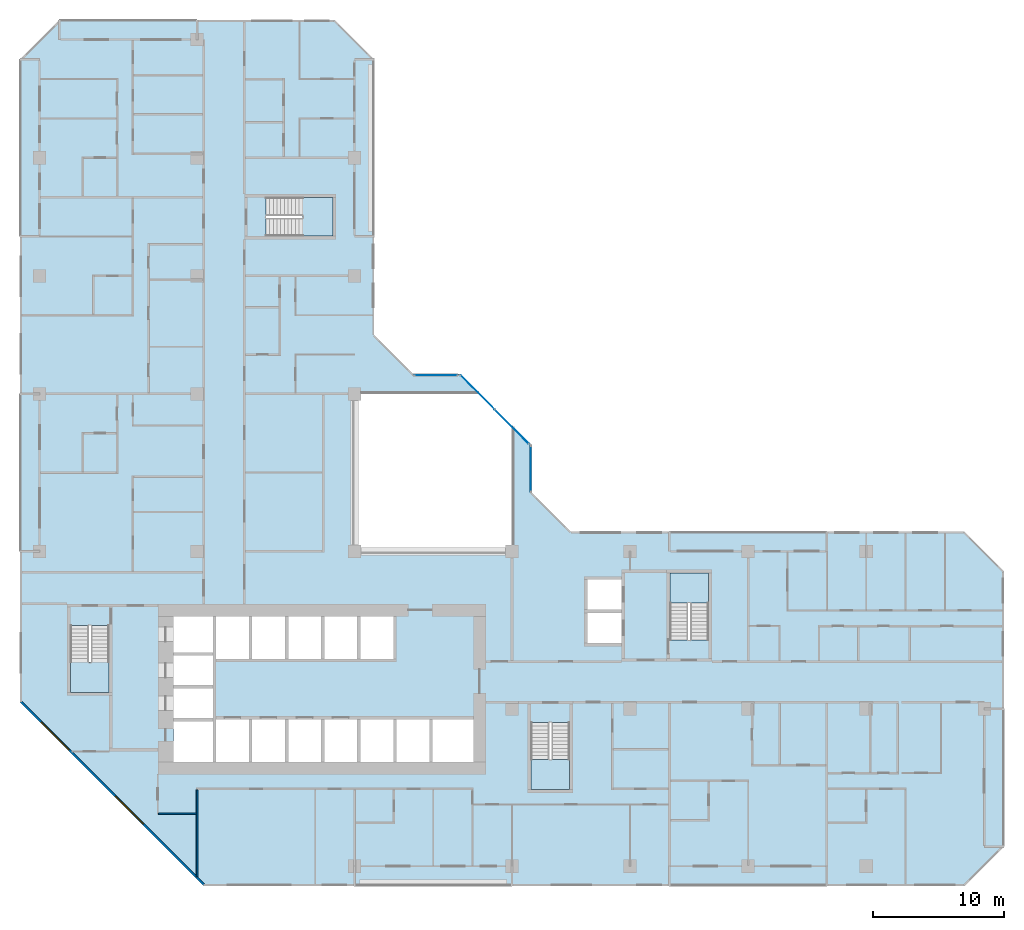
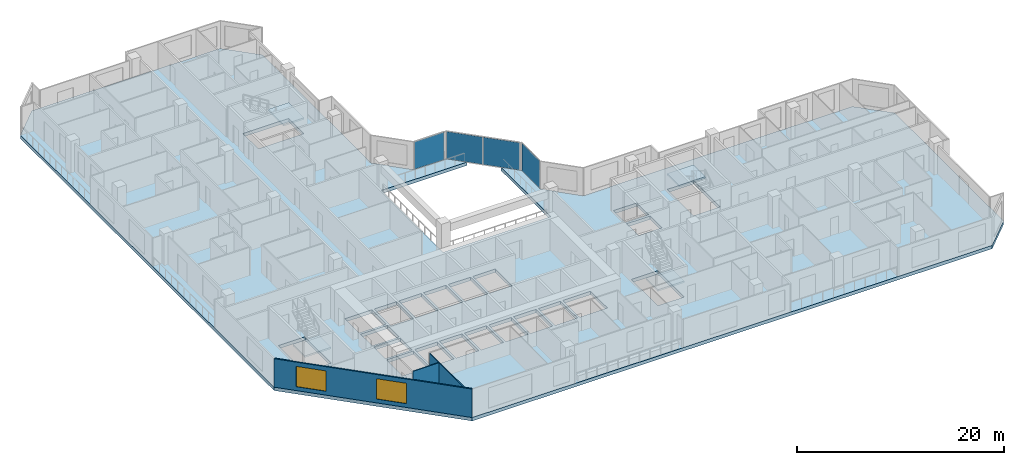
# One storey, part 3 of 15: 5 slabs, 4 plates, 3 walls, 2 windows, 2 openings, 7 elements without a shape of their own.
"""IFC4 building model written with IfcOpenShell, lengths in metres."""

from ifc_helpers import new_model, si_unit, direction, frame, frame_2d, origin, origin_2d, place, context, subcontext, project, spatial, polyline, rectangle, outline, extrude, material, layer, layer_set, type_object, element, fill, aggregate, save


model = new_model("IFC4")

# Units and contexts
model_context = context("Model", 3, precision=1e-05, world=origin(), true_north=direction((0.0, 1.0)))
body_context = subcontext(model_context, "Body", "Model", "MODEL_VIEW")
ifc_project = project(units=[si_unit("LENGTHUNIT", "METRE"), si_unit("AREAUNIT", "SQUARE_METRE"), si_unit("VOLUMEUNIT", "CUBIC_METRE"), si_unit("PLANEANGLEUNIT", "RADIAN"), si_unit("MASSUNIT", "GRAM", prefix="KILO")], contexts=[model_context])

# Site, building, storey
site_placement = place(None, origin())
site = spatial("IfcSite", under=ifc_project, at=site_placement, CompositionType="ELEMENT")
building_placement = place(site_placement, origin())
building = spatial("IfcBuilding", under=site, at=building_placement, Name="Chenar Terraces", CompositionType="ELEMENT")
storey_placement = place(building_placement, frame((0.0, 0.0, 95.64990234375)))
storey = spatial("IfcBuildingStorey", under=building, at=storey_placement, Name="L21", CompositionType="ELEMENT", Elevation=95.64990234375)

# Curtain wall, plate
ifc_material_1 = material(Name="Aluminium framed glazing", Category="aluminium")
ifc_layer_1 = layer(ifc_material_1, 0.14990234375)
ifc_layer_set_1 = layer_set([ifc_layer_1], Name="Aluminium framed glazing")
curtain_wall_type = type_object("IfcCurtainWallType", Name="Atrium curtain wall", PredefinedType="NOTDEFINED", material=ifc_layer_set_1)
placement_1 = place(storey_placement, origin())
curtain_wall_1 = element("IfcCurtainWall", 1, at=placement_1, inside=storey, type_object=curtain_wall_type, Name="Atrium curtain wall", PredefinedType="NOTDEFINED")
ifc_material_2 = material(Name="Low emissivity laminated glass, solar control coating", Category="glass")
ifc_layer_2 = layer(ifc_material_2, 0.028076171875)
ifc_layer_set_2 = layer_set([ifc_layer_2], Name="Low emissivity laminated glass, solar control coating")
plate_type = type_object("IfcPlateType", Name="Atrium glazing panel 28", PredefinedType="CURTAIN_PANEL", material=ifc_layer_set_2)
plate_1_placement = place(storey_placement, frame((37.425048828125, 30.300048828125, 0.06005859375), z_axis=(0.0, 0.0, 1.0), x_axis=(0.0, 1.0, 0.0)))
plate_1 = element("IfcPlate", 2, at=plate_1_placement, type_object=plate_type, Name="CW1-1 panel 1.1", PredefinedType="CURTAIN_PANEL", context=body_context, shape_type="SweptSolid", body=[
    extrude(rectangle(XDim=3.47998046875, YDim=0.028076171875, at=origin_2d()), origin(), (0.0, 0.0, 1.0), 3.22998046875),
])
aggregate(curtain_wall_1, [plate_1])

# Curtain wall, plates
curtain_wall_2 = element("IfcCurtainWall", 3, at=placement_1, inside=storey, type_object=curtain_wall_type, Name="Atrium curtain wall", PredefinedType="NOTDEFINED")
plate_2_placement = place(storey_placement, frame((35.980224609375, 33.513671875, 0.06005859375), z_axis=(0.0, 0.0, 1.0), x_axis=(-0.707106781187, 0.707106781187, 0.0)))
plate_2 = element("IfcPlate", 4, at=plate_2_placement, type_object=plate_type, Name="CW1-2 panel 1.1", PredefinedType="CURTAIN_PANEL", context=body_context, shape_type="SweptSolid", body=[
    extrude(rectangle(XDim=3.62841796875, YDim=0.028076171875, at=origin_2d()), origin(), (0.0, 0.0, 1.0), 3.22998046875),
])
plate_3_placement = place(storey_placement, frame((33.3720703125, 36.121826171875, 0.06005859375), z_axis=(0.0, 0.0, 1.0), x_axis=(-0.707106781187, 0.707106781187, 0.0)))
plate_3 = element("IfcPlate", 5, at=plate_3_placement, type_object=plate_type, Name="CW1-2 panel 2.1", PredefinedType="CURTAIN_PANEL", context=body_context, shape_type="SweptSolid", body=[
    extrude(rectangle(XDim=3.62841796875, YDim=0.028076171875, at=origin_2d()), origin(), (0.0, 0.0, 1.0), 3.22998046875),
])
aggregate(curtain_wall_2, [plate_2, plate_3])

# Curtain wall, plate
curtain_wall_3 = element("IfcCurtainWall", 6, at=placement_1, inside=storey, type_object=curtain_wall_type, Name="Atrium curtain wall", PredefinedType="NOTDEFINED")
plate_4_placement = place(storey_placement, frame((30.199951171875, 37.425048828125, 0.06005859375), z_axis=(0.0, 0.0, 1.0), x_axis=(-1.0, 0.0, 0.0)))
plate_4 = element("IfcPlate", 7, at=plate_4_placement, type_object=plate_type, Name="CW1-3 panel 1.1", PredefinedType="CURTAIN_PANEL", context=body_context, shape_type="SweptSolid", body=[
    extrude(rectangle(XDim=3.280029296875, YDim=0.028076171875, at=origin_2d()), origin(), (0.0, 0.0, 1.0), 3.22998046875),
])
aggregate(curtain_wall_3, [plate_4])

# Stair, slab
ifc_material_3 = material(Name="Reinforced concrete C40/50", Category="concrete")
stair_type = type_object("IfcStairType", Name="Core stair 1400 half-turn", PredefinedType="HALF_TURN_STAIR", material=ifc_material_3)
stair_1 = element("IfcStair", 8, at=placement_1, inside=storey, type_object=stair_type, Name="L21 Stair 1", PredefinedType="HALF_TURN_STAIR")
ifc_material_4 = material(Name="Reinforced concrete C40/50", Category="concrete")
ifc_layer_3 = layer(ifc_material_4, 0.199951171875)
ifc_layer_set_3 = layer_set([ifc_layer_3], Name="Reinforced concrete C40/50")
slab_type_1 = type_object("IfcSlabType", Name="Core stair landing 200", PredefinedType="LANDING", material=ifc_layer_set_3)
placement_2 = place(storey_placement, frame((0.0, 0.0, 1.675048828125)))
slab_1 = element("IfcSlab", 9, at=placement_2, type_object=slab_type_1, Name="ST1 landing 1", PredefinedType="LANDING", context=body_context, shape_type="SweptSolid", body=[
    extrude(outline(polyline([(2.35009765625, 15.550048828125), (2.35009765625, 13.25), (5.300048828125, 13.25), (5.300048828125, 15.550048828125), (2.35009765625, 15.550048828125)])), origin(), (0.0, 0.0, 1.0), 0.199951171875),
])
aggregate(stair_1, [slab_1])

stair_2 = element("IfcStair", 10, at=placement_1, inside=storey, type_object=stair_type, Name="L21 Stair 2", PredefinedType="HALF_TURN_STAIR")
slab_2 = element("IfcSlab", 11, at=placement_2, type_object=slab_type_1, Name="ST2 landing 1", PredefinedType="LANDING", context=body_context, shape_type="SweptSolid", body=[
    extrude(outline(polyline([(37.449951171875, 8.14990234375), (37.449951171875, 5.85009765625), (40.39990234375, 5.85009765625), (40.39990234375, 8.14990234375), (37.449951171875, 8.14990234375)])), origin(), (0.0, 0.0, 1.0), 0.199951171875),
])
aggregate(stair_2, [slab_2])

stair_3 = element("IfcStair", 12, at=placement_1, inside=storey, type_object=stair_type, Name="L21 Stair 3", PredefinedType="HALF_TURN_STAIR")
slab_3 = element("IfcSlab", 13, at=placement_2, type_object=slab_type_1, Name="ST3 landing 1", PredefinedType="LANDING", context=body_context, shape_type="SweptSolid", body=[
    extrude(outline(polyline([(50.97509765625, 20.050048828125), (50.97509765625, 22.35009765625), (48.02490234375, 22.35009765625), (48.02490234375, 20.050048828125), (50.97509765625, 20.050048828125)])), origin(), (0.0, 0.0, 1.0), 0.199951171875),
])
aggregate(stair_3, [slab_3])

stair_4 = element("IfcStair", 14, at=placement_1, inside=storey, type_object=stair_type, Name="L21 Stair 4", PredefinedType="HALF_TURN_STAIR")
slab_4 = element("IfcSlab", 15, at=placement_2, type_object=slab_type_1, Name="ST4 landing 1", PredefinedType="LANDING", context=body_context, shape_type="SweptSolid", body=[
    extrude(outline(polyline([(20.050048828125, 48.02490234375), (22.35009765625, 48.02490234375), (22.35009765625, 50.97509765625), (20.050048828125, 50.97509765625), (20.050048828125, 48.02490234375)])), origin(), (0.0, 0.0, 1.0), 0.199951171875),
])
aggregate(stair_4, [slab_4])

# Slab
ifc_material_5 = material(Name="Concrete C40/50", Category="concrete")
ifc_layer_4 = layer(ifc_material_5, 0.39990234375)
ifc_layer_set_4 = layer_set([ifc_layer_4], Name="Concrete C40/50")
slab_type_2 = type_object("IfcSlabType", Name="Floor slab 400 Concrete C40/50", PredefinedType="FLOOR", material=ifc_layer_set_4)
slab_5_placement = place(storey_placement, frame((0.0, 0.0, -0.39990234375)))
element("IfcSlab", 16, at=slab_5_placement, inside=storey, type_object=slab_type_2, Name="Floor slab L21", PredefinedType="FLOOR", context=body_context, shape_type="SweptSolid", body=[
    extrude(outline(polyline([(73.5, 22.5), (73.5, 1.5), (70.5, -1.5), (12.5, -1.5), (-1.5, 12.5), (-1.5, 61.5), (1.5, 64.5), (22.5, 64.5), (25.5, 61.5), (25.5, 40.5), (28.5, 37.5), (32.10009765625, 37.5), (33.60009765625, 36.0), (24.0, 36.0), (24.0, 24.0), (36.0, 24.0), (36.0, 33.60009765625), (37.5, 32.10009765625), (37.5, 28.5), (40.5, 25.5), (70.5, 25.5), (73.5, 22.5)]), holes=[polyline([(13.199951171875, 11.050048828125), (10.199951171875, 11.050048828125), (10.199951171875, 7.949951171875), (13.199951171875, 7.949951171875), (13.199951171875, 11.050048828125)]), polyline([(15.949951171875, 11.199951171875), (13.449951171875, 11.199951171875), (13.449951171875, 7.949951171875), (15.949951171875, 7.949951171875), (15.949951171875, 11.199951171875)]), polyline([(18.699951171875, 11.199951171875), (16.199951171875, 11.199951171875), (16.199951171875, 7.949951171875), (18.699951171875, 7.949951171875), (18.699951171875, 11.199951171875)]), polyline([(21.449951171875, 7.949951171875), (21.449951171875, 11.199951171875), (18.949951171875, 11.199951171875), (18.949951171875, 7.949951171875), (21.449951171875, 7.949951171875)]), polyline([(13.199951171875, 11.300048828125), (13.199951171875, 13.550048828125), (10.199951171875, 13.550048828125), (10.199951171875, 11.300048828125), (13.199951171875, 11.300048828125)]), polyline([(13.199951171875, 16.050048828125), (10.199951171875, 16.050048828125), (10.199951171875, 13.800048828125), (13.199951171875, 13.800048828125), (13.199951171875, 16.050048828125)]), polyline([(2.35009765625, 18.35009765625), (2.35009765625, 13.25), (5.300048828125, 13.25), (5.300048828125, 18.35009765625), (2.35009765625, 18.35009765625)]), polyline([(15.949951171875, 15.800048828125), (15.949951171875, 19.050048828125), (13.449951171875, 19.050048828125), (13.449951171875, 15.800048828125), (15.949951171875, 15.800048828125)]), polyline([(18.699951171875, 19.050048828125), (16.199951171875, 19.050048828125), (16.199951171875, 15.800048828125), (18.699951171875, 15.800048828125), (18.699951171875, 19.050048828125)]), polyline([(21.449951171875, 15.800048828125), (21.449951171875, 19.050048828125), (18.949951171875, 19.050048828125), (18.949951171875, 15.800048828125), (21.449951171875, 15.800048828125)]), polyline([(13.199951171875, 16.300048828125), (13.199951171875, 19.050048828125), (10.199951171875, 19.050048828125), (10.199951171875, 16.300048828125), (13.199951171875, 16.300048828125)]), polyline([(22.35009765625, 48.02490234375), (22.35009765625, 50.97509765625), (17.25, 50.97509765625), (17.25, 48.02490234375), (22.35009765625, 48.02490234375)]), polyline([(37.449951171875, 10.949951171875), (37.449951171875, 5.85009765625), (40.39990234375, 5.85009765625), (40.39990234375, 10.949951171875), (37.449951171875, 10.949951171875)]), polyline([(24.199951171875, 7.949951171875), (24.199951171875, 11.199951171875), (21.699951171875, 11.199951171875), (21.699951171875, 7.949951171875), (24.199951171875, 7.949951171875)]), polyline([(26.949951171875, 11.199951171875), (24.449951171875, 11.199951171875), (24.449951171875, 7.949951171875), (26.949951171875, 7.949951171875), (26.949951171875, 11.199951171875)]), polyline([(29.699951171875, 7.949951171875), (29.699951171875, 11.199951171875), (27.199951171875, 11.199951171875), (27.199951171875, 7.949951171875), (29.699951171875, 7.949951171875)]), polyline([(33.050048828125, 7.949951171875), (33.050048828125, 11.199951171875), (29.949951171875, 11.199951171875), (29.949951171875, 7.949951171875), (33.050048828125, 7.949951171875)]), polyline([(24.199951171875, 19.050048828125), (21.699951171875, 19.050048828125), (21.699951171875, 15.800048828125), (24.199951171875, 15.800048828125), (24.199951171875, 19.050048828125)]), polyline([(26.949951171875, 15.800048828125), (26.949951171875, 19.050048828125), (24.449951171875, 19.050048828125), (24.449951171875, 15.800048828125), (26.949951171875, 15.800048828125)]), polyline([(44.35009765625, 17.0), (44.35009765625, 19.300048828125), (41.75, 19.300048828125), (41.75, 17.0), (44.35009765625, 17.0)]), polyline([(50.97509765625, 22.35009765625), (48.02490234375, 22.35009765625), (48.02490234375, 17.25), (50.97509765625, 17.25), (50.97509765625, 22.35009765625)]), polyline([(44.35009765625, 19.550048828125), (44.35009765625, 21.85009765625), (41.75, 21.85009765625), (41.75, 19.550048828125), (44.35009765625, 19.550048828125)])]), origin(), (0.0, 0.0, 1.0), 0.39990234375),
])

# Walls
ifc_material_6 = material(Name="Gypsum board on steel studs", Category="steel")
ifc_layer_5 = layer(ifc_material_6, 0.10009765625)
ifc_layer_set_5 = layer_set([ifc_layer_5], Name="Gypsum board on steel studs")
wall_type_1 = type_object("IfcWallType", Name="Gypsum partition 100", PredefinedType="PARTITIONING", material=ifc_layer_set_5)
wall_1_placement = place(storey_placement, frame((9.050048828125, 4.0, 0.0), z_axis=(0.0, 0.0, 1.0), x_axis=(1.0, 0.0, 0.0)))
element("IfcWall", 17, at=wall_1_placement, inside=storey, type_object=wall_type_1, Name="Partition L21-034", PredefinedType="PARTITIONING", context=body_context, shape_type="SweptSolid", body=[
    extrude(rectangle(XDim=2.89990234375, YDim=0.10009765625, at=frame_2d((1.449951171875, 0.0))), origin(), (0.0, 0.0, 1.0), 3.35009765625),
])
wall_2_placement = place(storey_placement, frame((12.0, -0.787841796875, 0.0), z_axis=(0.0, 0.0, 1.0), x_axis=(0.0, 1.0, 0.0)))
element("IfcWall", 18, at=wall_2_placement, inside=storey, type_object=wall_type_1, Name="Partition L21-036", PredefinedType="PARTITIONING", context=body_context, shape_type="SweptSolid", body=[
    extrude(rectangle(XDim=6.61279296875, YDim=0.10009765625, at=frame_2d((3.306396484375, 0.0))), origin(), (0.0, 0.0, 1.0), 3.35009765625),
])

# Wall, openings, windows
ifc_material_7 = material(Name="Terracotta cladding on insulated backing", Category="masonry")
ifc_layer_6 = layer(ifc_material_7, 0.14990234375)
ifc_layer_set_6 = layer_set([ifc_layer_6], Name="Terracotta cladding on insulated backing")
wall_type_2 = type_object("IfcWallType", Name="Terracotta rainscreen wall 150", PredefinedType="SOLIDWALL", material=ifc_layer_set_6)
wall_3_placement = place(storey_placement, frame((-1.447021484375, 12.552978515625, 0.0), z_axis=(0.0, 0.0, 1.0), x_axis=(0.707106781187, -0.707106781187, 0.0)))
wall_3 = element("IfcWall", 19, at=wall_3_placement, inside=storey, type_object=wall_type_2, Name="Terracotta rainscreen wall", PredefinedType="SOLIDWALL", context=body_context, shape_type="SweptSolid", body=[
    extrude(rectangle(XDim=19.799072265625, YDim=0.14990234375, at=frame_2d((9.8994140625, 0.0))), origin(), (0.0, 0.0, 1.0), 3.35009765625),
])
opening_1_placement = place(wall_3_placement, frame((2.21240234375, 0.0, 0.449951171875)))
opening_1 = element("IfcOpeningElement", 20, at=opening_1_placement, cuts=wall_3, Name="Opening W300x240", PredefinedType="OPENING", context=body_context, shape_type="SweptSolid", body=[
    extrude(rectangle(XDim=3.0, YDim=2.39990234375, at=frame_2d((1.5, 1.199951171875))), frame((0.0, 0.0849609375, 0.0), z_axis=(0.0, -1.0, 0.0), x_axis=(1.0, 0.0, 0.0)), (0.0, 0.0, 1.0), 0.169921875),
])
opening_2_placement = place(wall_3_placement, frame((10.215576171875, 0.0, 0.449951171875)))
opening_2 = element("IfcOpeningElement", 21, at=opening_2_placement, cuts=wall_3, Name="Opening W300x240", PredefinedType="OPENING", context=body_context, shape_type="SweptSolid", body=[
    extrude(rectangle(XDim=3.0, YDim=2.39990234375, at=frame_2d((1.5, 1.199951171875))), frame((0.0, 0.0849609375, 0.0), z_axis=(0.0, -1.0, 0.0), x_axis=(1.0, 0.0, 0.0)), (0.0, 0.0, 1.0), 0.169921875),
])
ifc_material_8 = material(Name="Low emissivity double glazing, aluminium frame", Category="aluminium")
window_type = type_object("IfcWindowType", Name="Fixed light 3000 x 2400", PartitioningType="SINGLE_PANEL", PredefinedType="WINDOW", material=ifc_material_8)
window_1_placement = place(opening_1_placement, origin())
window_1 = element("IfcWindow", 22, at=window_1_placement, inside=storey, type_object=window_type, Name="Window", OverallHeight=2.39990234375, OverallWidth=3.0, PartitioningType="SINGLE_PANEL", PredefinedType="WINDOW", context=body_context, shape_type="SweptSolid", body=[
    extrude(rectangle(XDim=3.0, YDim=2.39990234375, at=frame_2d((1.5, 1.199951171875))), frame((0.0, 0.030029296875, 0.0), z_axis=(0.0, -1.0, 0.0), x_axis=(1.0, 0.0, 0.0)), (0.0, 0.0, 1.0), 0.06005859375),
])
fill(opening_1, window_1)
window_2_placement = place(opening_2_placement, origin())
window_2 = element("IfcWindow", 23, at=window_2_placement, inside=storey, type_object=window_type, Name="Window", OverallHeight=2.39990234375, OverallWidth=3.0, PartitioningType="SINGLE_PANEL", PredefinedType="WINDOW", context=body_context, shape_type="SweptSolid", body=[
    extrude(rectangle(XDim=3.0, YDim=2.39990234375, at=frame_2d((1.5, 1.199951171875))), frame((0.0, 0.030029296875, 0.0), z_axis=(0.0, -1.0, 0.0), x_axis=(1.0, 0.0, 0.0)), (0.0, 0.0, 1.0), 0.06005859375),
])
fill(opening_2, window_2)

save(model, "model.ifc")
